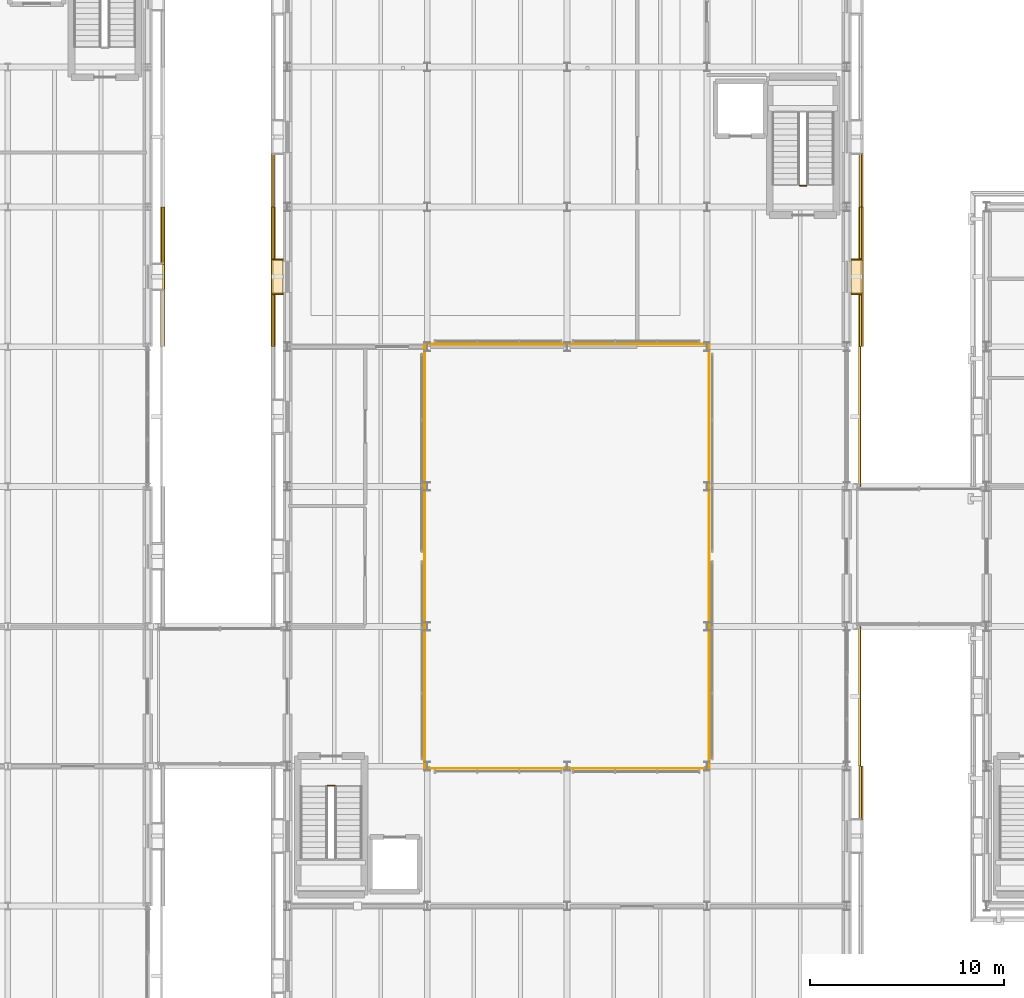
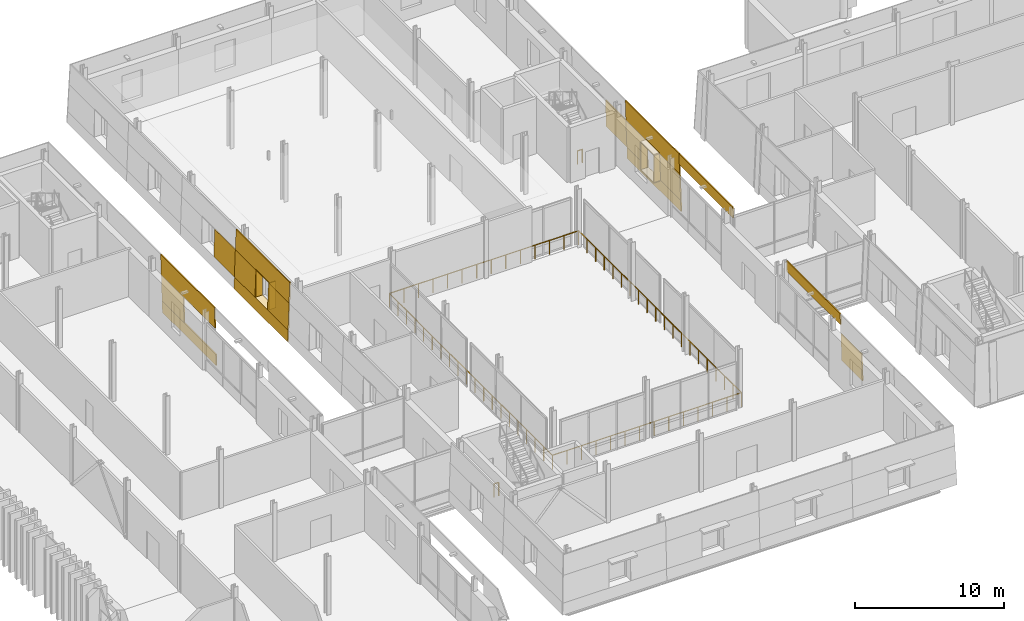
# One storey, part 109 of 121: 24 coverings, 6 railings.
"""IFC4 building model written with IfcOpenShell, lengths in metres."""

from ifc_helpers import new_model, si_unit, direction, frame, origin, origin_2d, place, context, subcontext, project, spatial, polyline, circle, outline, extrude, material, layer, layer_set, type_object, element, save


model = new_model("IFC4")

# Units and contexts
model_context = context("Model", 3, precision=1e-05, world=origin(), true_north=direction((0.0, 1.0)))
body_context = subcontext(model_context, "Body", "Model", "MODEL_VIEW")
ifc_project = project(units=[si_unit("LENGTHUNIT", "METRE"), si_unit("AREAUNIT", "SQUARE_METRE"), si_unit("VOLUMEUNIT", "CUBIC_METRE"), si_unit("PLANEANGLEUNIT", "RADIAN"), si_unit("MASSUNIT", "GRAM", prefix="KILO")], contexts=[model_context])

# Site, building, storey
site_placement = place(None, origin())
site = spatial("IfcSite", under=ifc_project, at=site_placement, CompositionType="ELEMENT")
building_placement = place(site_placement, origin())
building = spatial("IfcBuilding", under=site, at=building_placement, Name="Narikvali Park Central Library", CompositionType="ELEMENT")
storey_placement = place(building_placement, frame((0.0, 0.0, 5.39990234375)))
storey = spatial("IfcBuildingStorey", under=building, at=storey_placement, Name="L01", CompositionType="ELEMENT", Elevation=5.39990234375)

# Railings
ifc_material_1 = material(Name="Laminated Tempered Glass and Stainless Steel", Category="steel")
ifc_layer_1 = layer(ifc_material_1, 0.06005859375, Name="Laminated Tempered Glass and Stainless Steel")
ifc_layer_set_1 = layer_set([ifc_layer_1], Name="Laminated Tempered Glass and Stainless Steel")
railing_type_1 = type_object("IfcRailingType", Name="Atrium Void Tempered Glass Guardrail 1150", PredefinedType="GUARDRAIL", material=ifc_layer_set_1)
railing_1_placement = place(storey_placement, frame((35.8798828125, 64.679931640625, 0.0)))
element("IfcRailing", 1, at=railing_1_placement, inside=storey, type_object=railing_type_1, Name="V4 L01 Void Edge Guardrail S", PredefinedType="GUARDRAIL", context=body_context, shape_type="SweptSolid", body=[
    extrude(circle(Radius=0.02392578125, at=origin_2d()), frame((0.0, 0.0, 1.1259765625), z_axis=(1.0, 0.0, 0.0), x_axis=(0.0, 1.0, 0.0)), (0.0, 0.0, 1.0), 14.64013671875),
    extrude(circle(Radius=0.02099609375, at=origin_2d()), origin(), (0.0, 0.0, 1.0), 1.101806640625),
    extrude(circle(Radius=0.02099609375, at=origin_2d()), frame((1.126220703125, 0.0, 0.0)), (0.0, 0.0, 1.0), 1.101806640625),
    extrude(circle(Radius=0.02099609375, at=origin_2d()), frame((2.25244140625, 0.0, 0.0)), (0.0, 0.0, 1.0), 1.101806640625),
    extrude(circle(Radius=0.02099609375, at=origin_2d()), frame((3.37841796875, 0.0, 0.0)), (0.0, 0.0, 1.0), 1.101806640625),
    extrude(circle(Radius=0.02099609375, at=origin_2d()), frame((4.504638671875, 0.0, 0.0)), (0.0, 0.0, 1.0), 1.101806640625),
    extrude(circle(Radius=0.02099609375, at=origin_2d()), frame((5.630859375, 0.0, 0.0)), (0.0, 0.0, 1.0), 1.101806640625),
    extrude(circle(Radius=0.02099609375, at=origin_2d()), frame((6.757080078125, 0.0, 0.0)), (0.0, 0.0, 1.0), 1.101806640625),
    extrude(circle(Radius=0.02099609375, at=origin_2d()), frame((7.883056640625, 0.0, 0.0)), (0.0, 0.0, 1.0), 1.101806640625),
    extrude(circle(Radius=0.02099609375, at=origin_2d()), frame((9.00927734375, 0.0, 0.0)), (0.0, 0.0, 1.0), 1.101806640625),
    extrude(circle(Radius=0.02099609375, at=origin_2d()), frame((10.135498046875, 0.0, 0.0)), (0.0, 0.0, 1.0), 1.101806640625),
    extrude(circle(Radius=0.02099609375, at=origin_2d()), frame((11.26171875, 0.0, 0.0)), (0.0, 0.0, 1.0), 1.101806640625),
    extrude(circle(Radius=0.02099609375, at=origin_2d()), frame((12.3876953125, 0.0, 0.0)), (0.0, 0.0, 1.0), 1.101806640625),
    extrude(circle(Radius=0.02099609375, at=origin_2d()), frame((13.513916015625, 0.0, 0.0)), (0.0, 0.0, 1.0), 1.101806640625),
    extrude(circle(Radius=0.02099609375, at=origin_2d()), frame((14.64013671875, 0.0, 0.0)), (0.0, 0.0, 1.0), 1.101806640625),
])
railing_2_placement = place(storey_placement, frame((50.52001953125, 64.679931640625, 0.0)))
element("IfcRailing", 2, at=railing_2_placement, inside=storey, type_object=railing_type_1, Name="V4 L01 Void Edge Guardrail E", PredefinedType="GUARDRAIL", context=body_context, shape_type="SweptSolid", body=[
    extrude(circle(Radius=0.02392578125, at=origin_2d()), frame((0.0, 0.0, 1.1259765625), z_axis=(0.0, 1.0, 0.0), x_axis=(-1.0, 0.0, 0.0)), (0.0, 0.0, 1.0), 21.840087890625),
    extrude(circle(Radius=0.02099609375, at=origin_2d()), origin(), (0.0, 0.0, 1.0), 1.101806640625),
    extrude(circle(Radius=0.02099609375, at=origin_2d()), frame((0.0, 1.1494140625, 0.0)), (0.0, 0.0, 1.0), 1.101806640625),
    extrude(circle(Radius=0.02099609375, at=origin_2d()), frame((0.0, 2.299072265625, 0.0)), (0.0, 0.0, 1.0), 1.101806640625),
    extrude(circle(Radius=0.02099609375, at=origin_2d()), frame((0.0, 3.448486328125, 0.0)), (0.0, 0.0, 1.0), 1.101806640625),
    extrude(circle(Radius=0.02099609375, at=origin_2d()), frame((0.0, 4.597900390625, 0.0)), (0.0, 0.0, 1.0), 1.101806640625),
    extrude(circle(Radius=0.02099609375, at=origin_2d()), frame((0.0, 5.747314453125, 0.0)), (0.0, 0.0, 1.0), 1.101806640625),
    extrude(circle(Radius=0.02099609375, at=origin_2d()), frame((0.0, 6.89697265625, 0.0)), (0.0, 0.0, 1.0), 1.101806640625),
    extrude(circle(Radius=0.02099609375, at=origin_2d()), frame((0.0, 8.04638671875, 0.0)), (0.0, 0.0, 1.0), 1.101806640625),
    extrude(circle(Radius=0.02099609375, at=origin_2d()), frame((0.0, 9.19580078125, 0.0)), (0.0, 0.0, 1.0), 1.101806640625),
    extrude(circle(Radius=0.02099609375, at=origin_2d()), frame((0.0, 10.34521484375, 0.0)), (0.0, 0.0, 1.0), 1.101806640625),
    extrude(circle(Radius=0.02099609375, at=origin_2d()), frame((0.0, 11.494873046875, 0.0)), (0.0, 0.0, 1.0), 1.101806640625),
    extrude(circle(Radius=0.02099609375, at=origin_2d()), frame((0.0, 12.644287109375, 0.0)), (0.0, 0.0, 1.0), 1.101806640625),
    extrude(circle(Radius=0.02099609375, at=origin_2d()), frame((0.0, 13.793701171875, 0.0)), (0.0, 0.0, 1.0), 1.101806640625),
    extrude(circle(Radius=0.02099609375, at=origin_2d()), frame((0.0, 14.943115234375, 0.0)), (0.0, 0.0, 1.0), 1.101806640625),
    extrude(circle(Radius=0.02099609375, at=origin_2d()), frame((0.0, 16.0927734375, 0.0)), (0.0, 0.0, 1.0), 1.101806640625),
    extrude(circle(Radius=0.02099609375, at=origin_2d()), frame((0.0, 17.2421875, 0.0)), (0.0, 0.0, 1.0), 1.101806640625),
    extrude(circle(Radius=0.02099609375, at=origin_2d()), frame((0.0, 18.3916015625, 0.0)), (0.0, 0.0, 1.0), 1.101806640625),
    extrude(circle(Radius=0.02099609375, at=origin_2d()), frame((0.0, 19.541015625, 0.0)), (0.0, 0.0, 1.0), 1.101806640625),
    extrude(circle(Radius=0.02099609375, at=origin_2d()), frame((0.0, 20.690673828125, 0.0)), (0.0, 0.0, 1.0), 1.101806640625),
    extrude(circle(Radius=0.02099609375, at=origin_2d()), frame((0.0, 21.840087890625, 0.0)), (0.0, 0.0, 1.0), 1.101806640625),
])
railing_3_placement = place(storey_placement, frame((50.52001953125, 86.52001953125, 0.0)))
element("IfcRailing", 3, at=railing_3_placement, inside=storey, type_object=railing_type_1, Name="V4 L01 Void Edge Guardrail N", PredefinedType="GUARDRAIL", context=body_context, shape_type="SweptSolid", body=[
    extrude(circle(Radius=0.02392578125, at=origin_2d()), frame((0.0, 0.0, 1.1259765625), z_axis=(-1.0, 0.0, 0.0), x_axis=(0.0, -1.0, 0.0)), (0.0, 0.0, 1.0), 14.64013671875),
    extrude(circle(Radius=0.02099609375, at=origin_2d()), origin(), (0.0, 0.0, 1.0), 1.101806640625),
    extrude(circle(Radius=0.02099609375, at=origin_2d()), frame((-1.126220703125, 0.0, 0.0)), (0.0, 0.0, 1.0), 1.101806640625),
    extrude(circle(Radius=0.02099609375, at=origin_2d()), frame((-2.25244140625, 0.0, 0.0)), (0.0, 0.0, 1.0), 1.101806640625),
    extrude(circle(Radius=0.02099609375, at=origin_2d()), frame((-3.37841796875, 0.0, 0.0)), (0.0, 0.0, 1.0), 1.101806640625),
    extrude(circle(Radius=0.02099609375, at=origin_2d()), frame((-4.504638671875, 0.0, 0.0)), (0.0, 0.0, 1.0), 1.101806640625),
    extrude(circle(Radius=0.02099609375, at=origin_2d()), frame((-5.630859375, 0.0, 0.0)), (0.0, 0.0, 1.0), 1.101806640625),
    extrude(circle(Radius=0.02099609375, at=origin_2d()), frame((-6.757080078125, 0.0, 0.0)), (0.0, 0.0, 1.0), 1.101806640625),
    extrude(circle(Radius=0.02099609375, at=origin_2d()), frame((-7.883056640625, 0.0, 0.0)), (0.0, 0.0, 1.0), 1.101806640625),
    extrude(circle(Radius=0.02099609375, at=origin_2d()), frame((-9.00927734375, 0.0, 0.0)), (0.0, 0.0, 1.0), 1.101806640625),
    extrude(circle(Radius=0.02099609375, at=origin_2d()), frame((-10.135498046875, 0.0, 0.0)), (0.0, 0.0, 1.0), 1.101806640625),
    extrude(circle(Radius=0.02099609375, at=origin_2d()), frame((-11.26171875, 0.0, 0.0)), (0.0, 0.0, 1.0), 1.101806640625),
    extrude(circle(Radius=0.02099609375, at=origin_2d()), frame((-12.3876953125, 0.0, 0.0)), (0.0, 0.0, 1.0), 1.101806640625),
    extrude(circle(Radius=0.02099609375, at=origin_2d()), frame((-13.513916015625, 0.0, 0.0)), (0.0, 0.0, 1.0), 1.101806640625),
    extrude(circle(Radius=0.02099609375, at=origin_2d()), frame((-14.64013671875, 0.0, 0.0)), (0.0, 0.0, 1.0), 1.101806640625),
])
railing_4_placement = place(storey_placement, frame((35.8798828125, 86.52001953125, 0.0)))
element("IfcRailing", 4, at=railing_4_placement, inside=storey, type_object=railing_type_1, Name="V4 L01 Void Edge Guardrail W", PredefinedType="GUARDRAIL", context=body_context, shape_type="SweptSolid", body=[
    extrude(circle(Radius=0.02392578125, at=origin_2d()), frame((0.0, 0.0, 1.1259765625), z_axis=(0.0, -1.0, 0.0), x_axis=(1.0, 0.0, 0.0)), (0.0, 0.0, 1.0), 21.840087890625),
    extrude(circle(Radius=0.02099609375, at=origin_2d()), origin(), (0.0, 0.0, 1.0), 1.101806640625),
    extrude(circle(Radius=0.02099609375, at=origin_2d()), frame((0.0, -1.1494140625, 0.0)), (0.0, 0.0, 1.0), 1.101806640625),
    extrude(circle(Radius=0.02099609375, at=origin_2d()), frame((0.0, -2.299072265625, 0.0)), (0.0, 0.0, 1.0), 1.101806640625),
    extrude(circle(Radius=0.02099609375, at=origin_2d()), frame((0.0, -3.448486328125, 0.0)), (0.0, 0.0, 1.0), 1.101806640625),
    extrude(circle(Radius=0.02099609375, at=origin_2d()), frame((0.0, -4.597900390625, 0.0)), (0.0, 0.0, 1.0), 1.101806640625),
    extrude(circle(Radius=0.02099609375, at=origin_2d()), frame((0.0, -5.747314453125, 0.0)), (0.0, 0.0, 1.0), 1.101806640625),
    extrude(circle(Radius=0.02099609375, at=origin_2d()), frame((0.0, -6.89697265625, 0.0)), (0.0, 0.0, 1.0), 1.101806640625),
    extrude(circle(Radius=0.02099609375, at=origin_2d()), frame((0.0, -8.04638671875, 0.0)), (0.0, 0.0, 1.0), 1.101806640625),
    extrude(circle(Radius=0.02099609375, at=origin_2d()), frame((0.0, -9.19580078125, 0.0)), (0.0, 0.0, 1.0), 1.101806640625),
    extrude(circle(Radius=0.02099609375, at=origin_2d()), frame((0.0, -10.34521484375, 0.0)), (0.0, 0.0, 1.0), 1.101806640625),
    extrude(circle(Radius=0.02099609375, at=origin_2d()), frame((0.0, -11.494873046875, 0.0)), (0.0, 0.0, 1.0), 1.101806640625),
    extrude(circle(Radius=0.02099609375, at=origin_2d()), frame((0.0, -12.644287109375, 0.0)), (0.0, 0.0, 1.0), 1.101806640625),
    extrude(circle(Radius=0.02099609375, at=origin_2d()), frame((0.0, -13.793701171875, 0.0)), (0.0, 0.0, 1.0), 1.101806640625),
    extrude(circle(Radius=0.02099609375, at=origin_2d()), frame((0.0, -14.943115234375, 0.0)), (0.0, 0.0, 1.0), 1.101806640625),
    extrude(circle(Radius=0.02099609375, at=origin_2d()), frame((0.0, -16.0927734375, 0.0)), (0.0, 0.0, 1.0), 1.101806640625),
    extrude(circle(Radius=0.02099609375, at=origin_2d()), frame((0.0, -17.2421875, 0.0)), (0.0, 0.0, 1.0), 1.101806640625),
    extrude(circle(Radius=0.02099609375, at=origin_2d()), frame((0.0, -18.3916015625, 0.0)), (0.0, 0.0, 1.0), 1.101806640625),
    extrude(circle(Radius=0.02099609375, at=origin_2d()), frame((0.0, -19.541015625, 0.0)), (0.0, 0.0, 1.0), 1.101806640625),
    extrude(circle(Radius=0.02099609375, at=origin_2d()), frame((0.0, -20.690673828125, 0.0)), (0.0, 0.0, 1.0), 1.101806640625),
    extrude(circle(Radius=0.02099609375, at=origin_2d()), frame((0.0, -21.840087890625, 0.0)), (0.0, 0.0, 1.0), 1.101806640625),
])

# Coverings
ifc_material_2 = material(Name="White Honed Limestone Cladding", Category="masonry")
ifc_layer_2 = layer(ifc_material_2, 0.0849609375, Name="White Honed Limestone Cladding")
ifc_layer_set_2 = layer_set([ifc_layer_2], Name="White Honed Limestone Cladding")
covering_type_1 = type_object("IfcCoveringType", Name="Battered White Limestone Facade Cladding Panel", PredefinedType="CLADDING", material=ifc_layer_set_2)
covering_1_placement = place(storey_placement, frame((58.426025390625, 62.0400390625, 0.9501953125), z_axis=(0.999435139525, 0.0, 0.033606574995), x_axis=(0.0, 1.0, 0.0)))
element("IfcCovering", 5, at=covering_1_placement, inside=storey, type_object=covering_type_1, Name="V4 L01 E Battered Limestone Jamb Pier R B02", PredefinedType="CLADDING", context=body_context, shape_type="SweptSolid", body=[
    extrude(outline(polyline([(0.0, 0.0), (2.760009765625, 0.0), (2.760009765625, 2.201194539668489), (0.0, 2.201194539668489), (0.0, 0.0)])), origin(), (0.0, 0.0, -1.0), 0.0849609375),
])
for number, where, z_axis, x_axis, name in (
    (6, (58.32666015625, 64.800048828125, 3.900146484375), (0.999434628015, 0.0, 0.033621783471), (0.0, 1.0, 0.0), "V4 L01 E Battered Limestone Spandrel Header B03"),
    (7, (58.32666015625, 79.199951171875, 3.900146484375), (0.999434628015, 0.0, 0.033621783471), (0.0, 1.0, 0.0), "V4 L01 E Battered Limestone Spandrel Header B05"),
):
    element("IfcCovering", number, at=place(storey_placement, frame(where, z_axis=z_axis, x_axis=x_axis)), inside=storey, type_object=covering_type_1, Name=name, PredefinedType="CLADDING", context=body_context, shape_type="SweptSolid", body=[
        extrude(outline(polyline([(0.0, 0.0), (7.199951171875, 0.0), (7.199951171875, 0.9004114111364925), (0.0, 0.9004114111364925), (0.0, 0.0)])), origin(), (0.0, 0.0, -1.0), 0.0849609375),
    ])
covering_2_placement = place(storey_placement, frame((58.4580078125, 86.39990234375, 0.0), z_axis=(0.999434023877, 0.0, 0.033639737186), x_axis=(0.0, 1.0, 0.0)))
element("IfcCovering", 8, at=covering_2_placement, inside=storey, type_object=covering_type_1, Name="V4 L01 E Battered Limestone Spandrel B06", PredefinedType="CLADDING", context=body_context, shape_type="SweptSolid", body=[
    extrude(outline(polyline([(0.0, 0.0), (7.2001953125, 0.0), (7.2001953125, 0.9507334049069504), (0.0, 0.9507334049069504), (0.0, 0.0)])), origin(), (0.0, 0.0, -1.0), 0.0849609375),
])
covering_3_placement = place(storey_placement, frame((58.35205078125, 86.39990234375, 3.150146484375), z_axis=(0.999431366072, 0.0, 0.033718607793), x_axis=(0.0, 1.0, 0.0)))
element("IfcCovering", 9, at=covering_3_placement, inside=storey, type_object=covering_type_1, Name="V4 L01 E Battered Limestone Lintel B06", PredefinedType="CLADDING", context=body_context, shape_type="SweptSolid", body=[
    extrude(outline(polyline([(0.0, 0.0), (7.2001953125, 0.0), (7.2001953125, 1.6508410679910246), (0.0, 1.6508410679910246), (0.0, 0.0)])), origin(), (0.0, 0.0, -1.0), 0.0849609375),
])
for number, where, z_axis, x_axis, name in (
    (10, (58.426025390625, 86.39990234375, 0.9501953125), (0.999435139525, 0.0, 0.033606574995), (0.0, 1.0, 0.0), "V4 L01 E Battered Limestone Jamb Pier L B06"),
    (11, (58.426025390625, 90.840087890625, 0.9501953125), (0.999435139525, 0.0, 0.033606574995), (0.0, 1.0, 0.0), "V4 L01 E Battered Limestone Jamb Pier R B06"),
    (12, (58.426025390625, 93.60009765625, 0.9501953125), (0.999435139525, 0.0, 0.033606574995), (0.0, 1.0, 0.0), "V4 L01 E Battered Limestone Jamb Pier L B07"),
):
    element("IfcCovering", number, at=place(storey_placement, frame(where, z_axis=z_axis, x_axis=x_axis)), inside=storey, type_object=covering_type_1, Name=name, PredefinedType="CLADDING", context=body_context, shape_type="SweptSolid", body=[
        extrude(outline(polyline([(0.0, 0.0), (2.760009765625, 0.0), (2.760009765625, 2.201194539668489), (0.0, 2.201194539668489), (0.0, 0.0)])), origin(), (0.0, 0.0, -1.0), 0.0849609375),
    ])
covering_4_placement = place(storey_placement, frame((27.973876953125, 96.360107421875, 0.9501953125), z_axis=(-0.999431408105, 0.0, 0.033717361898), x_axis=(0.0, -1.0, 0.0)))
element("IfcCovering", 13, at=covering_4_placement, inside=storey, type_object=covering_type_1, Name="V4 L01 W Battered Limestone Jamb Pier R B03", PredefinedType="CLADDING", context=body_context, shape_type="SweptSolid", body=[
    extrude(outline(polyline([(0.0, 0.0), (2.760009765625, 0.0), (2.760009765625, 2.2012027579225295), (0.0, 2.2012027579225295), (0.0, 0.0)])), origin(), (0.0, 0.0, -1.0), 0.0849609375),
])
covering_5_placement = place(storey_placement, frame((27.94189453125, 93.60009765625, 0.0), z_axis=(-0.999434023877, 0.0, 0.033639737186), x_axis=(0.0, -1.0, 0.0)))
element("IfcCovering", 14, at=covering_5_placement, inside=storey, type_object=covering_type_1, Name="V4 L01 W Battered Limestone Spandrel B04", PredefinedType="CLADDING", context=body_context, shape_type="SweptSolid", body=[
    extrude(outline(polyline([(0.0, 0.0), (7.2001953125, 0.0), (7.2001953125, 0.9507334049069504), (0.0, 0.9507334049069504), (0.0, 0.0)])), origin(), (0.0, 0.0, -1.0), 0.0849609375),
])
covering_6_placement = place(storey_placement, frame((28.048095703125, 93.60009765625, 3.150146484375), z_axis=(-0.999436338943, 0.0, 0.0335708862), x_axis=(0.0, -1.0, 0.0)))
element("IfcCovering", 15, at=covering_6_placement, inside=storey, type_object=covering_type_1, Name="V4 L01 W Battered Limestone Lintel B04", PredefinedType="CLADDING", context=body_context, shape_type="SweptSolid", body=[
    extrude(outline(polyline([(0.0, 0.0), (7.2001953125, 0.0), (7.2001953125, 1.6508328539414203), (0.0, 1.6508328539414203), (0.0, 0.0)])), origin(), (0.0, 0.0, -1.0), 0.0849609375),
])
for number, where, z_axis, x_axis, name in (
    (16, (27.973876953125, 93.60009765625, 0.9501953125), (-0.999431408105, 0.0, 0.033717361898), (0.0, -1.0, 0.0), "V4 L01 W Battered Limestone Jamb Pier L B04"),
    (17, (27.973876953125, 89.159912109375, 0.9501953125), (-0.999431408105, 0.0, 0.033717361898), (0.0, -1.0, 0.0), "V4 L01 W Battered Limestone Jamb Pier R B04"),
):
    element("IfcCovering", number, at=place(storey_placement, frame(where, z_axis=z_axis, x_axis=x_axis)), inside=storey, type_object=covering_type_1, Name=name, PredefinedType="CLADDING", context=body_context, shape_type="SweptSolid", body=[
        extrude(outline(polyline([(0.0, 0.0), (2.760009765625, 0.0), (2.760009765625, 2.2012027579225295), (0.0, 2.2012027579225295), (0.0, 0.0)])), origin(), (0.0, 0.0, -1.0), 0.0849609375),
    ])
covering_7_placement = place(storey_placement, frame((22.48681640625, 86.39990234375, 0.0), z_axis=(0.999600837605, 0.0, 0.028251822234), x_axis=(0.0, 1.0, 0.0)))
element("IfcCovering", 18, at=covering_7_placement, inside=storey, type_object=covering_type_1, Name="V5 L01 E Battered Limestone Spandrel B09", PredefinedType="CLADDING", context=body_context, shape_type="SweptSolid", body=[
    extrude(outline(polyline([(0.0, 0.0), (7.2001953125, 0.0), (7.2001953125, 0.9505747461924048), (0.0, 0.9505747461924048), (0.0, 0.0)])), origin(), (0.0, 0.0, -1.0), 0.0849609375),
])
covering_8_placement = place(storey_placement, frame((22.39892578125, 86.39990234375, 3.10009765625), z_axis=(0.99959594144, 0.0, 0.02842452914), x_axis=(0.0, 1.0, 0.0)))
element("IfcCovering", 19, at=covering_8_placement, inside=storey, type_object=covering_type_1, Name="V5 L01 E Battered Limestone Lintel B09", PredefinedType="CLADDING", context=body_context, shape_type="SweptSolid", body=[
    extrude(outline(polyline([(0.0, 0.0), (7.2001953125, 0.0), (7.2001953125, 1.7006383293495886), (0.0, 1.7006383293495886), (0.0, 0.0)])), origin(), (0.0, 0.0, -1.0), 0.0849609375),
])
covering_9_placement = place(storey_placement, frame((22.4599609375, 90.639892578125, 0.9501953125), z_axis=(0.99959725493, 0.0, 0.028378300447), x_axis=(0.0, 1.0, 0.0)))
element("IfcCovering", 20, at=covering_9_placement, inside=storey, type_object=covering_type_1, Name="V5 L01 E Battered Limestone Jamb Pier R B09", PredefinedType="CLADDING", context=body_context, shape_type="SweptSolid", body=[
    extrude(outline(polyline([(0.0, 0.0), (2.960205078125, 0.0), (2.960205078125, 2.150768555182125), (0.0, 2.150768555182125), (0.0, 0.0)])), origin(), (0.0, 0.0, -1.0), 0.0849609375),
])
ifc_layer_3 = layer(ifc_material_2, 0.080078125, Name="White Honed Limestone Cladding")
ifc_layer_set_3 = layer_set([ifc_layer_3], Name="White Honed Limestone Cladding")
covering_type_2 = type_object("IfcCoveringType", Name="Deep Carved White Limestone Window Reveal", PredefinedType="CLADDING", material=ifc_layer_set_3)
covering_10_placement = place(storey_placement, frame((0.0, 0.0, 3.150146484375)))
element("IfcCovering", 21, at=covering_10_placement, inside=storey, type_object=covering_type_2, Name="Deep Stone Reveal Head V4-RVL-L01-E-B06", PredefinedType="CLADDING", context=body_context, shape_type="SweptSolid", body=[
    extrude(outline(polyline([(57.824951171875, 89.1201171875), (57.824951171875, 90.8798828125), (58.35205078125, 90.8798828125), (58.35205078125, 89.1201171875), (57.824951171875, 89.1201171875)])), origin(), (0.0, 0.0, 1.0), 0.079833984375),
])
covering_11_placement = place(storey_placement, frame((0.0, 0.0, 0.8701171875)))
element("IfcCovering", 22, at=covering_11_placement, inside=storey, type_object=covering_type_2, Name="Deep Stone Reveal Sill V4-RVL-L01-E-B06", PredefinedType="CLADDING", context=body_context, shape_type="SweptSolid", body=[
    extrude(outline(polyline([(57.824951171875, 89.1201171875), (57.824951171875, 90.8798828125), (58.426025390625, 90.8798828125), (58.426025390625, 89.1201171875), (57.824951171875, 89.1201171875)])), origin(), (0.0, 0.0, 1.0), 0.080078125),
])
covering_12_placement = place(storey_placement, frame((0.0, 0.0, 0.9501953125)))
element("IfcCovering", 23, at=covering_12_placement, inside=storey, type_object=covering_type_2, Name="Deep Stone Reveal Jamb L V4-RVL-L01-E-B06", PredefinedType="CLADDING", context=body_context, shape_type="SweptSolid", body=[
    extrude(outline(polyline([(57.824951171875, 89.080078125), (57.824951171875, 89.159912109375), (58.35205078125, 89.159912109375), (58.35205078125, 89.080078125), (57.824951171875, 89.080078125)])), origin(), (0.0, 0.0, 1.0), 2.199951171875),
])
covering_13_placement = place(storey_placement, frame((0.0, 0.0, 0.9501953125)))
element("IfcCovering", 24, at=covering_13_placement, inside=storey, type_object=covering_type_2, Name="Deep Stone Reveal Jamb R V4-RVL-L01-E-B06", PredefinedType="CLADDING", context=body_context, shape_type="SweptSolid", body=[
    extrude(outline(polyline([(57.824951171875, 90.840087890625), (57.824951171875, 90.919921875), (58.35205078125, 90.919921875), (58.35205078125, 90.840087890625), (57.824951171875, 90.840087890625)])), origin(), (0.0, 0.0, 1.0), 2.199951171875),
])
covering_14_placement = place(storey_placement, frame((0.0, 0.0, 3.150146484375)))
element("IfcCovering", 25, at=covering_14_placement, inside=storey, type_object=covering_type_2, Name="Deep Stone Reveal Head V4-RVL-L01-W-B04", PredefinedType="CLADDING", context=body_context, shape_type="SweptSolid", body=[
    extrude(outline(polyline([(28.574951171875, 90.8798828125), (28.574951171875, 89.1201171875), (28.048095703125, 89.1201171875), (28.048095703125, 90.8798828125), (28.574951171875, 90.8798828125)])), origin(), (0.0, 0.0, 1.0), 0.079833984375),
])
covering_15_placement = place(storey_placement, frame((0.0, 0.0, 0.8701171875)))
element("IfcCovering", 26, at=covering_15_placement, inside=storey, type_object=covering_type_2, Name="Deep Stone Reveal Sill V4-RVL-L01-W-B04", PredefinedType="CLADDING", context=body_context, shape_type="SweptSolid", body=[
    extrude(outline(polyline([(28.574951171875, 90.8798828125), (28.574951171875, 89.1201171875), (27.973876953125, 89.1201171875), (27.973876953125, 90.8798828125), (28.574951171875, 90.8798828125)])), origin(), (0.0, 0.0, 1.0), 0.080078125),
])
covering_16_placement = place(storey_placement, frame((0.0, 0.0, 0.9501953125)))
element("IfcCovering", 27, at=covering_16_placement, inside=storey, type_object=covering_type_2, Name="Deep Stone Reveal Jamb L V4-RVL-L01-W-B04", PredefinedType="CLADDING", context=body_context, shape_type="SweptSolid", body=[
    extrude(outline(polyline([(28.574951171875, 90.919921875), (28.574951171875, 90.840087890625), (28.048095703125, 90.840087890625), (28.048095703125, 90.919921875), (28.574951171875, 90.919921875)])), origin(), (0.0, 0.0, 1.0), 2.199951171875),
])
covering_17_placement = place(storey_placement, frame((0.0, 0.0, 0.9501953125)))
element("IfcCovering", 28, at=covering_17_placement, inside=storey, type_object=covering_type_2, Name="Deep Stone Reveal Jamb R V4-RVL-L01-W-B04", PredefinedType="CLADDING", context=body_context, shape_type="SweptSolid", body=[
    extrude(outline(polyline([(28.574951171875, 89.159912109375), (28.574951171875, 89.080078125), (28.048095703125, 89.080078125), (28.048095703125, 89.159912109375), (28.574951171875, 89.159912109375)])), origin(), (0.0, 0.0, 1.0), 2.199951171875),
])

# Railings
ifc_material_3 = material(Name="Powder-Coated Steel S275", Category="steel")
ifc_layer_4 = layer(ifc_material_3, 0.050048828125, Name="Powder-Coated Steel S275")
ifc_layer_set_4 = layer_set([ifc_layer_4], Name="Powder-Coated Steel S275")
railing_type_2 = type_object("IfcRailingType", Name="Stair Well Steel Guardrail 1100", PredefinedType="GUARDRAIL", material=ifc_layer_set_4)
railing_5_placement = place(storey_placement, frame((30.8701171875, 63.800048828125, 0.0)))
element("IfcRailing", 29, at=railing_5_placement, inside=storey, type_object=railing_type_2, Name="L01 ST-07 stair guard 4", PredefinedType="GUARDRAIL", context=body_context, shape_type="SweptSolid", body=[
    extrude(circle(Radius=0.02392578125, at=origin_2d()), frame((0.0, 0.0, 1.076171875), z_axis=(1.0, 0.0, 0.0), x_axis=(0.0, 1.0, 0.0)), (0.0, 0.0, 1.0), 0.35986328125),
    extrude(circle(Radius=0.02099609375, at=origin_2d()), origin(), (0.0, 0.0, 1.0), 1.052001953125),
    extrude(circle(Radius=0.02099609375, at=origin_2d()), frame((0.35986328125, 0.0, 0.0)), (0.0, 0.0, 1.0), 1.052001953125),
])
railing_6_placement = place(storey_placement, frame((55.530029296875, 94.699951171875, 0.0)))
element("IfcRailing", 30, at=railing_6_placement, inside=storey, type_object=railing_type_2, Name="L01 ST-08 stair guard 4", PredefinedType="GUARDRAIL", context=body_context, shape_type="SweptSolid", body=[
    extrude(circle(Radius=0.02392578125, at=origin_2d()), frame((0.0, 0.0, 1.076171875), z_axis=(-1.0, 0.0, 0.0), x_axis=(0.0, -1.0, 0.0)), (0.0, 0.0, 1.0), 0.360107421875),
    extrude(circle(Radius=0.02099609375, at=origin_2d()), origin(), (0.0, 0.0, 1.0), 1.052001953125),
    extrude(circle(Radius=0.02099609375, at=origin_2d()), frame((-0.360107421875, 0.0, 0.0)), (0.0, 0.0, 1.0), 1.052001953125),
])

save(model, "model.ifc")
